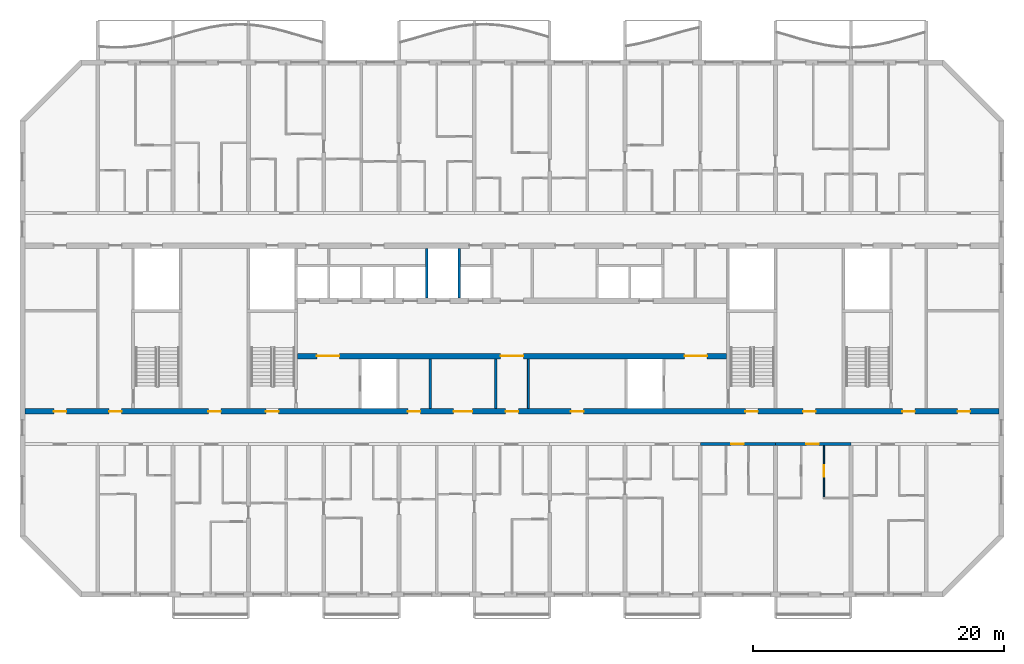
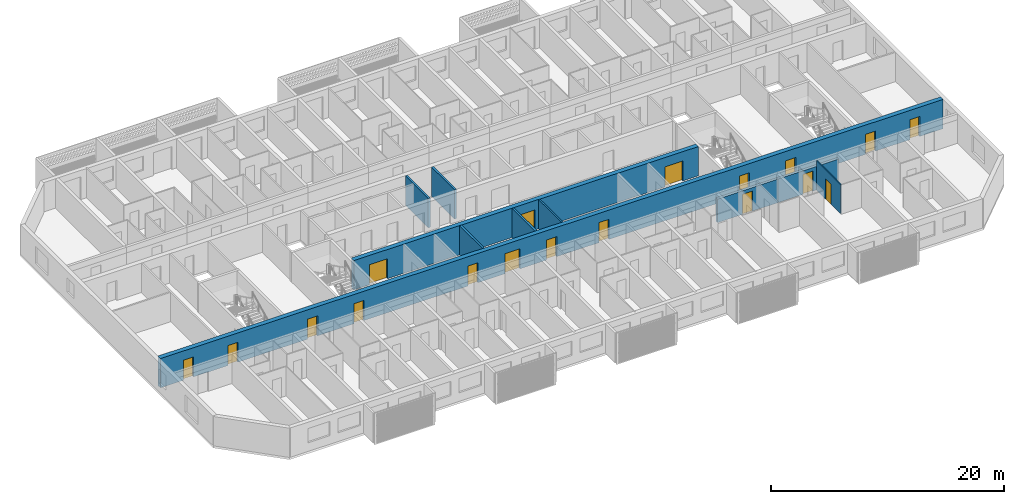
# One storey, part 6 of 32: 18 doors, 10 walls, 18 openings.
"""IFC4 building model written with IfcOpenShell, lengths in metres."""

from ifc_helpers import new_model, si_unit, direction, frame, frame_2d, origin, place, context, subcontext, project, spatial, rectangle, extrude, material, layer, layer_set, type_object, element, fill, save


model = new_model("IFC4")

# Units and contexts
model_context = context("Model", 3, precision=1e-05, world=origin(), true_north=direction((0.0, 1.0)))
body_context = subcontext(model_context, "Body", "Model", "MODEL_VIEW")
ifc_project = project(units=[si_unit("LENGTHUNIT", "METRE"), si_unit("AREAUNIT", "SQUARE_METRE"), si_unit("VOLUMEUNIT", "CUBIC_METRE"), si_unit("PLANEANGLEUNIT", "RADIAN"), si_unit("MASSUNIT", "GRAM", prefix="KILO")], contexts=[model_context])

# Site, building, storey
site_placement = place(None, origin())
site = spatial("IfcSite", under=ifc_project, at=site_placement, CompositionType="ELEMENT")
building_placement = place(site_placement, origin())
building = spatial("IfcBuilding", under=site, at=building_placement, Name="Poui Terraces", CompositionType="ELEMENT")
storey_placement = place(building_placement, frame((0.0, 0.0, 152.10009765625)))
storey = spatial("IfcBuildingStorey", under=building, at=storey_placement, Name="L42", CompositionType="ELEMENT", Elevation=152.10009765625)

# Wall, openings, doors
ifc_material_1 = material(Name="Concrete 65 MPa", Category="concrete")
ifc_layer_1 = layer(ifc_material_1, 0.449951171875)
ifc_layer_set_1 = layer_set([ifc_layer_1], Name="Concrete 65 MPa")
wall_type_1 = type_object("IfcWallType", Name="CORE WALL 450 65 MPA", PredefinedType="SOLIDWALL", material=ifc_layer_set_1)
wall_1_placement = place(storey_placement, frame((33.925048828125, 19.0, 0.0), z_axis=(0.0, 0.0, 1.0), x_axis=(1.0, 0.0, 0.0)))
wall_1 = element("IfcWall", 1, at=wall_1_placement, inside=storey, type_object=wall_type_1, Name="CORE WALL", PredefinedType="SOLIDWALL", context=body_context, shape_type="SweptSolid", body=[
    extrude(rectangle(XDim=34.14990234375, YDim=0.449951171875, at=frame_2d((17.074951171875, 0.0))), origin(), (0.0, 0.0, 1.0), 3.06982421875),
])
opening_1_placement = place(wall_1_placement, frame((16.175048828125, 0.0, 0.0)))
opening_1 = element("IfcOpeningElement", 2, at=opening_1_placement, cuts=wall_1, Name="Opening FDD60", PredefinedType="OPENING", context=body_context, shape_type="SweptSolid", body=[
    extrude(rectangle(XDim=1.800048828125, YDim=2.10009765625, at=frame_2d((0.89990234375, 1.050048828125))), frame((0.0, 0.23486328125, 0.0), z_axis=(0.0, -1.0, 0.0), x_axis=(1.0, 0.0, 0.0)), (0.0, 0.0, 1.0), 0.469970703125),
])
opening_2_placement = place(wall_1_placement, frame((1.52490234375, 0.0, 0.0)))
opening_2 = element("IfcOpeningElement", 3, at=opening_2_placement, cuts=wall_1, Name="Opening FDD60", PredefinedType="OPENING", context=body_context, shape_type="SweptSolid", body=[
    extrude(rectangle(XDim=1.800048828125, YDim=2.10009765625, at=frame_2d((0.89990234375, 1.050048828125))), frame((0.0, 0.23486328125, 0.0), z_axis=(0.0, -1.0, 0.0), x_axis=(1.0, 0.0, 0.0)), (0.0, 0.0, 1.0), 0.469970703125),
])
opening_3_placement = place(wall_1_placement, frame((30.824951171875, 0.0, 0.0)))
opening_3 = element("IfcOpeningElement", 4, at=opening_3_placement, cuts=wall_1, Name="Opening FDD60", PredefinedType="OPENING", context=body_context, shape_type="SweptSolid", body=[
    extrude(rectangle(XDim=1.800048828125, YDim=2.10009765625, at=frame_2d((0.89990234375, 1.050048828125))), frame((0.0, 0.23486328125, 0.0), z_axis=(0.0, -1.0, 0.0), x_axis=(1.0, 0.0, 0.0)), (0.0, 0.0, 1.0), 0.469970703125),
])
ifc_material_2 = material(Name="Steel fire door", Category="steel")
door_type_1 = type_object("IfcDoorType", Name="DOUBLE LOBBY FIRE DOOR 1800 X 2100", OperationType="DOUBLE_DOOR_SINGLE_SWING", PredefinedType="DOOR", material=ifc_material_2)
door_1_placement = place(opening_1_placement, frame((1.800048828125, 0.0, 0.0), z_axis=(0.0, 0.0, 1.0), x_axis=(-1.0, 0.0, 0.0)))
door_1 = element("IfcDoor", 5, at=door_1_placement, inside=storey, type_object=door_type_1, Name="DOUBLE LOBBY FIRE DOOR 124", OperationType="DOUBLE_DOOR_SINGLE_SWING", OverallHeight=2.10009765625, OverallWidth=1.800048828125, PredefinedType="DOOR", context=body_context, shape_type="SweptSolid", body=[
    extrude(rectangle(XDim=1.800048828125, YDim=2.10009765625, at=frame_2d((0.89990234375, 1.050048828125))), frame((0.0, 0.02490234375, 0.0), z_axis=(0.0, -1.0, 0.0), x_axis=(1.0, 0.0, 0.0)), (0.0, 0.0, 1.0), 0.050048828125),
])
fill(opening_1, door_1)
door_2_placement = place(opening_2_placement, origin())
door_2 = element("IfcDoor", 6, at=door_2_placement, inside=storey, type_object=door_type_1, Name="DOUBLE LOBBY FIRE DOOR 126", OperationType="DOUBLE_DOOR_SINGLE_SWING", OverallHeight=2.10009765625, OverallWidth=1.800048828125, PredefinedType="DOOR", context=body_context, shape_type="SweptSolid", body=[
    extrude(rectangle(XDim=1.800048828125, YDim=2.10009765625, at=frame_2d((0.89990234375, 1.050048828125))), frame((0.0, 0.02490234375, 0.0), z_axis=(0.0, -1.0, 0.0), x_axis=(1.0, 0.0, 0.0)), (0.0, 0.0, 1.0), 0.050048828125),
])
fill(opening_2, door_2)
door_3_placement = place(opening_3_placement, origin())
door_3 = element("IfcDoor", 7, at=door_3_placement, inside=storey, type_object=door_type_1, Name="DOUBLE LOBBY FIRE DOOR 133", OperationType="DOUBLE_DOOR_SINGLE_SWING", OverallHeight=2.10009765625, OverallWidth=1.800048828125, PredefinedType="DOOR", context=body_context, shape_type="SweptSolid", body=[
    extrude(rectangle(XDim=1.800048828125, YDim=2.10009765625, at=frame_2d((0.89990234375, 1.050048828125))), frame((0.0, 0.02490234375, 0.0), z_axis=(0.0, -1.0, 0.0), x_axis=(1.0, 0.0, 0.0)), (0.0, 0.0, 1.0), 0.050048828125),
])
fill(opening_3, door_3)

# Wall
ifc_material_3 = material(Name="Fire-rated plasterboard wall")
ifc_layer_2 = layer(ifc_material_3, 0.14990234375)
ifc_layer_set_2 = layer_set([ifc_layer_2], Name="Fire-rated plasterboard wall")
wall_type_2 = type_object("IfcWallType", Name="CORRIDOR WALL 150", PredefinedType="PARTITIONING", material=ifc_layer_set_2)
wall_2_placement = place(storey_placement, frame((52.300048828125, 14.8349609375, 0.0), z_axis=(0.0, 0.0, 1.0), x_axis=(0.0, 1.0, 0.0)))
element("IfcWall", 8, at=wall_2_placement, inside=storey, type_object=wall_type_2, Name="CORRIDOR WALL 150", PredefinedType="PARTITIONING", context=body_context, shape_type="SweptSolid", body=[
    extrude(rectangle(XDim=3.929931640625, YDim=0.14990234375, at=frame_2d((1.96484375, 0.0))), origin(), (0.0, 0.0, 1.0), 3.06982421875),
])

# Wall, opening, door
ifc_layer_3 = layer(ifc_material_1, 0.25)
ifc_layer_set_3 = layer_set([ifc_layer_3], Name="Concrete 65 MPa")
wall_type_3 = type_object("IfcWallType", Name="CORRIDOR WALL 250 65MPa", PredefinedType="SHEAR", material=ifc_layer_set_3)
wall_3_placement = place(storey_placement, frame((66.0, 12.0, 0.0), z_axis=(0.0, 0.0, 1.0), x_axis=(1.0, 0.0, 0.0)))
wall_3 = element("IfcWall", 9, at=wall_3_placement, inside=storey, type_object=wall_type_3, Name="CORRIDOR WALL LINE B BAY 10", PredefinedType="SHEAR", context=body_context, shape_type="SweptSolid", body=[
    extrude(rectangle(XDim=6.0, YDim=0.25, at=frame_2d((3.0, 0.0))), origin(), (0.0, 0.0, 1.0), 2.469970703125),
])
opening_4_placement = place(wall_3_placement, frame((2.449951171875, 0.0, 0.0)))
opening_4 = element("IfcOpeningElement", 10, at=opening_4_placement, cuts=wall_3, Name="Opening FD30S", PredefinedType="OPENING", context=body_context, shape_type="SweptSolid", body=[
    extrude(rectangle(XDim=1.0, YDim=2.10009765625, at=frame_2d((0.5, 1.050048828125))), frame((0.0, 0.135009765625, 0.0), z_axis=(0.0, -1.0, 0.0), x_axis=(1.0, 0.0, 0.0)), (0.0, 0.0, 1.0), 0.27001953125),
])
door_type_2 = type_object("IfcDoorType", Name="FLAT ENTRANCE DOOR 1000 X 2100", OperationType="NOTDEFINED", PredefinedType="DOOR", material=ifc_material_2)
door_4_placement = place(opening_4_placement, frame((1.0, 0.0, 0.0), z_axis=(0.0, 0.0, 1.0), x_axis=(-1.0, 0.0, 0.0)))
door_4 = element("IfcDoor", 11, at=door_4_placement, inside=storey, type_object=door_type_2, Name="FLAT ENTRANCE DOOR 109", OperationType="SINGLE_SWING_RIGHT", OverallHeight=2.10009765625, OverallWidth=1.0, PredefinedType="DOOR", context=body_context, shape_type="SweptSolid", body=[
    extrude(rectangle(XDim=1.0, YDim=2.10009765625, at=frame_2d((0.5, 1.050048828125))), frame((0.0, 0.02490234375, 0.0), z_axis=(0.0, -1.0, 0.0), x_axis=(1.0, 0.0, 0.0)), (0.0, 0.0, 1.0), 0.050048828125),
])
fill(opening_4, door_4)

wall_4_placement = place(storey_placement, frame((72.0, 12.0, 0.0), z_axis=(0.0, 0.0, 1.0), x_axis=(1.0, 0.0, 0.0)))
wall_4 = element("IfcWall", 12, at=wall_4_placement, inside=storey, type_object=wall_type_3, Name="CORRIDOR WALL LINE B BAY 11", PredefinedType="SHEAR", context=body_context, shape_type="SweptSolid", body=[
    extrude(rectangle(XDim=6.0, YDim=0.25, at=frame_2d((3.0, 0.0))), origin(), (0.0, 0.0, 1.0), 2.469970703125),
])
opening_5_placement = place(wall_4_placement, frame((2.449951171875, 0.0, 0.0)))
opening_5 = element("IfcOpeningElement", 13, at=opening_5_placement, cuts=wall_4, Name="Opening FD30S", PredefinedType="OPENING", context=body_context, shape_type="SweptSolid", body=[
    extrude(rectangle(XDim=1.0, YDim=2.10009765625, at=frame_2d((0.5, 1.050048828125))), frame((0.0, 0.135009765625, 0.0), z_axis=(0.0, -1.0, 0.0), x_axis=(1.0, 0.0, 0.0)), (0.0, 0.0, 1.0), 0.27001953125),
])
door_5_placement = place(opening_5_placement, frame((1.0, 0.0, 0.0), z_axis=(0.0, 0.0, 1.0), x_axis=(-1.0, 0.0, 0.0)))
door_5 = element("IfcDoor", 14, at=door_5_placement, inside=storey, type_object=door_type_2, Name="FLAT ENTRANCE DOOR 112", OperationType="SINGLE_SWING_RIGHT", OverallHeight=2.10009765625, OverallWidth=1.0, PredefinedType="DOOR", context=body_context, shape_type="SweptSolid", body=[
    extrude(rectangle(XDim=1.0, YDim=2.10009765625, at=frame_2d((0.5, 1.050048828125))), frame((0.0, 0.02490234375, 0.0), z_axis=(0.0, -1.0, 0.0), x_axis=(1.0, 0.0, 0.0)), (0.0, 0.0, 1.0), 0.050048828125),
])
fill(opening_5, door_5)

ifc_material_4 = material(Name="Plasterboard partition")
ifc_layer_4 = layer(ifc_material_4, 0.10009765625)
ifc_layer_set_4 = layer_set([ifc_layer_4], Name="Plasterboard partition")
wall_type_4 = type_object("IfcWallType", Name="FLAT PARTITION 100", PredefinedType="PARTITIONING", material=ifc_layer_set_4)
wall_5_placement = place(storey_placement, frame((75.85009765625, 7.75, 0.0), z_axis=(0.0, 0.0, 1.0), x_axis=(0.0, 1.0, 0.0)))
wall_5 = element("IfcWall", 15, at=wall_5_placement, inside=storey, type_object=wall_type_4, Name="FLAT PARTITION 100", PredefinedType="PARTITIONING", context=body_context, shape_type="SweptSolid", body=[
    extrude(rectangle(XDim=4.114990234375, YDim=0.10009765625, at=frame_2d((2.0576171875, 0.0))), origin(), (0.0, 0.0, 1.0), 3.06982421875),
])
opening_6_placement = place(wall_5_placement, frame((1.64990234375, 0.0, 0.0)))
opening_6 = element("IfcOpeningElement", 16, at=opening_6_placement, cuts=wall_5, Name="Opening D90", PredefinedType="OPENING", context=body_context, shape_type="SweptSolid", body=[
    extrude(rectangle(XDim=0.89990234375, YDim=2.10009765625, at=frame_2d((0.449951171875, 1.050048828125))), frame((0.0, 0.06005859375, 0.0), z_axis=(0.0, -1.0, 0.0), x_axis=(1.0, 0.0, 0.0)), (0.0, 0.0, 1.0), 0.1201171875),
])
ifc_material_5 = material(Name="Solid core timber door", Category="wood")
door_type_3 = type_object("IfcDoorType", Name="INTERNAL DOOR 900 X 2100", OperationType="NOTDEFINED", PredefinedType="DOOR", material=ifc_material_5)
door_6_placement = place(opening_6_placement, frame((0.89990234375, 0.0, 0.0), z_axis=(0.0, 0.0, 1.0), x_axis=(-1.0, 0.0, 0.0)))
door_6 = element("IfcDoor", 17, at=door_6_placement, inside=storey, type_object=door_type_3, Name="INTERNAL DOOR 113", OperationType="SINGLE_SWING_LEFT", OverallHeight=2.10009765625, OverallWidth=0.89990234375, PredefinedType="DOOR", context=body_context, shape_type="SweptSolid", body=[
    extrude(rectangle(XDim=0.89990234375, YDim=2.10009765625, at=frame_2d((0.449951171875, 1.050048828125))), frame((0.0, 0.02490234375, 0.0), z_axis=(0.0, -1.0, 0.0), x_axis=(1.0, 0.0, 0.0)), (0.0, 0.0, 1.0), 0.050048828125),
])
fill(opening_6, door_6)

# Walls
ifc_material_6 = material(Name="Fire-rated masonry wall", Category="masonry")
ifc_layer_5 = layer(ifc_material_6, 0.199951171875)
ifc_layer_set_5 = layer_set([ifc_layer_5], Name="Fire-rated masonry wall")
wall_type_5 = type_object("IfcWallType", Name="PLANT ROOM WALL 200", PredefinedType="PARTITIONING", material=ifc_layer_set_5)
for number, where, z_axis, x_axis, name in (
    (18, (44.5, 14.8349609375, 0.0), (0.0, 0.0, 1.0), (0.0, 1.0, 0.0), "PLANT ROOM WALL 200"),
    (19, (49.699951171875, 14.8349609375, 0.0), (0.0, 0.0, 1.0), (0.0, 1.0, 0.0), "PLANT ROOM WALL 200"),
):
    element("IfcWall", number, at=place(storey_placement, frame(where, z_axis=z_axis, x_axis=x_axis)), inside=storey, type_object=wall_type_5, Name=name, PredefinedType="PARTITIONING", context=body_context, shape_type="SweptSolid", body=[
        extrude(rectangle(XDim=3.929931640625, YDim=0.199951171875, at=frame_2d((1.96484375, 0.0))), origin(), (0.0, 0.0, 1.0), 3.06982421875),
    ])
ifc_material_7 = material(Name="Fire-rated masonry shaft wall", Category="masonry")
ifc_layer_6 = layer(ifc_material_7, 0.199951171875)
ifc_layer_set_6 = layer_set([ifc_layer_6], Name="Fire-rated masonry shaft wall")
wall_type_6 = type_object("IfcWallType", Name="SHAFT WALL 200", PredefinedType="PARTITIONING", material=ifc_layer_set_6)
for number, where, z_axis, x_axis, name in (
    (20, (44.199951171875, 23.635009765625, 0.0), (0.0, 0.0, 1.0), (0.0, 1.0, 0.0), "SHAFT WALL 200"),
    (21, (46.800048828125, 23.635009765625, 0.0), (0.0, 0.0, 1.0), (0.0, 1.0, 0.0), "SHAFT WALL 200"),
):
    element("IfcWall", number, at=place(storey_placement, frame(where, z_axis=z_axis, x_axis=x_axis)), inside=storey, type_object=wall_type_6, Name=name, PredefinedType="PARTITIONING", context=body_context, shape_type="SweptSolid", body=[
        extrude(rectangle(XDim=3.929931640625, YDim=0.199951171875, at=frame_2d((1.96484375, 0.0))), origin(), (0.0, 0.0, 1.0), 3.06982421875),
    ])

# Wall, openings, doors
ifc_layer_7 = layer(ifc_material_1, 0.449951171875)
ifc_layer_set_7 = layer_set([ifc_layer_7], Name="Concrete 65 MPa")
wall_type_7 = type_object("IfcWallType", Name="SPINE WALL 450 65 MPA", PredefinedType="SOLIDWALL", material=ifc_layer_set_7)
wall_6_placement = place(storey_placement, frame((12.199951171875, 14.60009765625, 0.0), z_axis=(0.0, 0.0, 1.0), x_axis=(1.0, 0.0, 0.0)))
wall_6 = element("IfcWall", 22, at=wall_6_placement, inside=storey, type_object=wall_type_7, Name="SPINE WALL", PredefinedType="SOLIDWALL", context=body_context, shape_type="SweptSolid", body=[
    extrude(rectangle(XDim=77.60009765625, YDim=0.449951171875, at=frame_2d((38.800048828125, 0.0))), origin(), (0.0, 0.0, 1.0), 3.06982421875),
])
opening_7_placement = place(wall_6_placement, frame((2.300048828125, 0.0, 0.0)))
opening_7 = element("IfcOpeningElement", 23, at=opening_7_placement, cuts=wall_6, Name="Opening FD60", PredefinedType="OPENING", context=body_context, shape_type="SweptSolid", body=[
    extrude(rectangle(XDim=1.0, YDim=2.10009765625, at=frame_2d((0.5, 1.050048828125))), frame((0.0, 0.23486328125, 0.0), z_axis=(0.0, -1.0, 0.0), x_axis=(1.0, 0.0, 0.0)), (0.0, 0.0, 1.0), 0.469970703125),
])
opening_8_placement = place(wall_6_placement, frame((6.699951171875, 0.0, 0.0)))
opening_8 = element("IfcOpeningElement", 24, at=opening_8_placement, cuts=wall_6, Name="Opening FDL", PredefinedType="OPENING", context=body_context, shape_type="SweptSolid", body=[
    extrude(rectangle(XDim=1.0, YDim=2.10009765625, at=frame_2d((0.5, 1.050048828125))), frame((0.0, 0.23486328125, 0.0), z_axis=(0.0, -1.0, 0.0), x_axis=(1.0, 0.0, 0.0)), (0.0, 0.0, 1.0), 0.469970703125),
])
opening_9_placement = place(wall_6_placement, frame((14.60009765625, 0.0, 0.0)))
opening_9 = element("IfcOpeningElement", 25, at=opening_9_placement, cuts=wall_6, Name="Opening D100", PredefinedType="OPENING", context=body_context, shape_type="SweptSolid", body=[
    extrude(rectangle(XDim=1.0, YDim=2.10009765625, at=frame_2d((0.5, 1.050048828125))), frame((0.0, 0.23486328125, 0.0), z_axis=(0.0, -1.0, 0.0), x_axis=(1.0, 0.0, 0.0)), (0.0, 0.0, 1.0), 0.469970703125),
])
opening_10_placement = place(wall_6_placement, frame((19.199951171875, 0.0, 0.0)))
opening_10 = element("IfcOpeningElement", 26, at=opening_10_placement, cuts=wall_6, Name="Opening FD60S", PredefinedType="OPENING", context=body_context, shape_type="SweptSolid", body=[
    extrude(rectangle(XDim=1.0, YDim=2.10009765625, at=frame_2d((0.5, 1.050048828125))), frame((0.0, 0.23486328125, 0.0), z_axis=(0.0, -1.0, 0.0), x_axis=(1.0, 0.0, 0.0)), (0.0, 0.0, 1.0), 0.469970703125),
])
opening_11_placement = place(wall_6_placement, frame((30.5, 0.0, 0.0)))
opening_11 = element("IfcOpeningElement", 27, at=opening_11_placement, cuts=wall_6, Name="Opening FD60", PredefinedType="OPENING", context=body_context, shape_type="SweptSolid", body=[
    extrude(rectangle(XDim=1.0, YDim=2.10009765625, at=frame_2d((0.5, 1.050048828125))), frame((0.0, 0.23486328125, 0.0), z_axis=(0.0, -1.0, 0.0), x_axis=(1.0, 0.0, 0.0)), (0.0, 0.0, 1.0), 0.469970703125),
])
opening_12_placement = place(wall_6_placement, frame((34.14990234375, 0.0, 0.0)))
opening_12 = element("IfcOpeningElement", 28, at=opening_12_placement, cuts=wall_6, Name="Opening FDP", PredefinedType="OPENING", context=body_context, shape_type="SweptSolid", body=[
    extrude(rectangle(XDim=1.5, YDim=2.10009765625, at=frame_2d((0.75, 1.050048828125))), frame((0.0, 0.23486328125, 0.0), z_axis=(0.0, -1.0, 0.0), x_axis=(1.0, 0.0, 0.0)), (0.0, 0.0, 1.0), 0.469970703125),
])
opening_13_placement = place(wall_6_placement, frame((38.300048828125, 0.0, 0.0)))
opening_13 = element("IfcOpeningElement", 29, at=opening_13_placement, cuts=wall_6, Name="Opening FDL", PredefinedType="OPENING", context=body_context, shape_type="SweptSolid", body=[
    extrude(rectangle(XDim=1.0, YDim=2.10009765625, at=frame_2d((0.5, 1.050048828125))), frame((0.0, 0.23486328125, 0.0), z_axis=(0.0, -1.0, 0.0), x_axis=(1.0, 0.0, 0.0)), (0.0, 0.0, 1.0), 0.469970703125),
])
opening_14_placement = place(wall_6_placement, frame((43.5, 0.0, 0.0)))
opening_14 = element("IfcOpeningElement", 30, at=opening_14_placement, cuts=wall_6, Name="Opening FD60", PredefinedType="OPENING", context=body_context, shape_type="SweptSolid", body=[
    extrude(rectangle(XDim=1.0, YDim=2.10009765625, at=frame_2d((0.5, 1.050048828125))), frame((0.0, 0.23486328125, 0.0), z_axis=(0.0, -1.0, 0.0), x_axis=(1.0, 0.0, 0.0)), (0.0, 0.0, 1.0), 0.469970703125),
])
opening_15_placement = place(wall_6_placement, frame((57.39990234375, 0.0, 0.0)))
opening_15 = element("IfcOpeningElement", 31, at=opening_15_placement, cuts=wall_6, Name="Opening FD60S", PredefinedType="OPENING", context=body_context, shape_type="SweptSolid", body=[
    extrude(rectangle(XDim=1.0, YDim=2.10009765625, at=frame_2d((0.5, 1.050048828125))), frame((0.0, 0.23486328125, 0.0), z_axis=(0.0, -1.0, 0.0), x_axis=(1.0, 0.0, 0.0)), (0.0, 0.0, 1.0), 0.469970703125),
])
opening_16_placement = place(wall_6_placement, frame((62.0, 0.0, 0.0)))
opening_16 = element("IfcOpeningElement", 32, at=opening_16_placement, cuts=wall_6, Name="Opening D100", PredefinedType="OPENING", context=body_context, shape_type="SweptSolid", body=[
    extrude(rectangle(XDim=1.0, YDim=2.10009765625, at=frame_2d((0.5, 1.050048828125))), frame((0.0, 0.23486328125, 0.0), z_axis=(0.0, -1.0, 0.0), x_axis=(1.0, 0.0, 0.0)), (0.0, 0.0, 1.0), 0.469970703125),
])
opening_17_placement = place(wall_6_placement, frame((69.89990234375, 0.0, 0.0)))
opening_17 = element("IfcOpeningElement", 33, at=opening_17_placement, cuts=wall_6, Name="Opening FDL", PredefinedType="OPENING", context=body_context, shape_type="SweptSolid", body=[
    extrude(rectangle(XDim=1.0, YDim=2.10009765625, at=frame_2d((0.5, 1.050048828125))), frame((0.0, 0.23486328125, 0.0), z_axis=(0.0, -1.0, 0.0), x_axis=(1.0, 0.0, 0.0)), (0.0, 0.0, 1.0), 0.469970703125),
])
opening_18_placement = place(wall_6_placement, frame((74.300048828125, 0.0, 0.0)))
opening_18 = element("IfcOpeningElement", 34, at=opening_18_placement, cuts=wall_6, Name="Opening FD60", PredefinedType="OPENING", context=body_context, shape_type="SweptSolid", body=[
    extrude(rectangle(XDim=1.0, YDim=2.10009765625, at=frame_2d((0.5, 1.050048828125))), frame((0.0, 0.23486328125, 0.0), z_axis=(0.0, -1.0, 0.0), x_axis=(1.0, 0.0, 0.0)), (0.0, 0.0, 1.0), 0.469970703125),
])
door_type_4 = type_object("IfcDoorType", Name="ACCESSIBLE INTERNAL DOOR 1000 X 2100", OperationType="NOTDEFINED", PredefinedType="DOOR", material=ifc_material_5)
door_7_placement = place(opening_9_placement, frame((1.0, 0.0, 0.0), z_axis=(0.0, 0.0, 1.0), x_axis=(-1.0, 0.0, 0.0)))
door_7 = element("IfcDoor", 35, at=door_7_placement, inside=storey, type_object=door_type_4, Name="ACCESSIBLE INTERNAL DOOR 019", OperationType="SINGLE_SWING_LEFT", OverallHeight=2.10009765625, OverallWidth=1.0, PredefinedType="DOOR", context=body_context, shape_type="SweptSolid", body=[
    extrude(rectangle(XDim=1.0, YDim=2.10009765625, at=frame_2d((0.5, 1.050048828125))), frame((0.0, 0.02490234375, 0.0), z_axis=(0.0, -1.0, 0.0), x_axis=(1.0, 0.0, 0.0)), (0.0, 0.0, 1.0), 0.050048828125),
])
fill(opening_9, door_7)
door_8_placement = place(opening_16_placement, frame((1.0, 0.0, 0.0), z_axis=(0.0, 0.0, 1.0), x_axis=(-1.0, 0.0, 0.0)))
door_8 = element("IfcDoor", 36, at=door_8_placement, inside=storey, type_object=door_type_4, Name="ACCESSIBLE INTERNAL DOOR 026", OperationType="SINGLE_SWING_RIGHT", OverallHeight=2.10009765625, OverallWidth=1.0, PredefinedType="DOOR", context=body_context, shape_type="SweptSolid", body=[
    extrude(rectangle(XDim=1.0, YDim=2.10009765625, at=frame_2d((0.5, 1.050048828125))), frame((0.0, 0.02490234375, 0.0), z_axis=(0.0, -1.0, 0.0), x_axis=(1.0, 0.0, 0.0)), (0.0, 0.0, 1.0), 0.050048828125),
])
fill(opening_16, door_8)
door_type_5 = type_object("IfcDoorType", Name="LOBBY FIRE DOOR 1000 X 2100", OperationType="NOTDEFINED", PredefinedType="DOOR", material=ifc_material_2)
door_9_placement = place(opening_8_placement, frame((1.0, 0.0, 0.0), z_axis=(0.0, 0.0, 1.0), x_axis=(-1.0, 0.0, 0.0)))
door_9 = element("IfcDoor", 37, at=door_9_placement, inside=storey, type_object=door_type_5, Name="LOBBY FIRE DOOR 018", OperationType="SINGLE_SWING_RIGHT", OverallHeight=2.10009765625, OverallWidth=1.0, PredefinedType="DOOR", context=body_context, shape_type="SweptSolid", body=[
    extrude(rectangle(XDim=1.0, YDim=2.10009765625, at=frame_2d((0.5, 1.050048828125))), frame((0.0, 0.02490234375, 0.0), z_axis=(0.0, -1.0, 0.0), x_axis=(1.0, 0.0, 0.0)), (0.0, 0.0, 1.0), 0.050048828125),
])
fill(opening_8, door_9)
door_10_placement = place(opening_13_placement, frame((1.0, 0.0, 0.0), z_axis=(0.0, 0.0, 1.0), x_axis=(-1.0, 0.0, 0.0)))
door_10 = element("IfcDoor", 38, at=door_10_placement, inside=storey, type_object=door_type_5, Name="LOBBY FIRE DOOR 023", OperationType="SINGLE_SWING_LEFT", OverallHeight=2.10009765625, OverallWidth=1.0, PredefinedType="DOOR", context=body_context, shape_type="SweptSolid", body=[
    extrude(rectangle(XDim=1.0, YDim=2.10009765625, at=frame_2d((0.5, 1.050048828125))), frame((0.0, 0.02490234375, 0.0), z_axis=(0.0, -1.0, 0.0), x_axis=(1.0, 0.0, 0.0)), (0.0, 0.0, 1.0), 0.050048828125),
])
fill(opening_13, door_10)
door_11_placement = place(opening_17_placement, frame((1.0, 0.0, 0.0), z_axis=(0.0, 0.0, 1.0), x_axis=(-1.0, 0.0, 0.0)))
door_11 = element("IfcDoor", 39, at=door_11_placement, inside=storey, type_object=door_type_5, Name="LOBBY FIRE DOOR 027", OperationType="SINGLE_SWING_LEFT", OverallHeight=2.10009765625, OverallWidth=1.0, PredefinedType="DOOR", context=body_context, shape_type="SweptSolid", body=[
    extrude(rectangle(XDim=1.0, YDim=2.10009765625, at=frame_2d((0.5, 1.050048828125))), frame((0.0, 0.02490234375, 0.0), z_axis=(0.0, -1.0, 0.0), x_axis=(1.0, 0.0, 0.0)), (0.0, 0.0, 1.0), 0.050048828125),
])
fill(opening_17, door_11)
door_type_6 = type_object("IfcDoorType", Name="PLANT ROOM DOOR PAIR 1500 X 2100", OperationType="DOUBLE_DOOR_SINGLE_SWING", PredefinedType="DOOR", material=ifc_material_2)
door_12_placement = place(opening_12_placement, frame((1.5, 0.0, 0.0), z_axis=(0.0, 0.0, 1.0), x_axis=(-1.0, 0.0, 0.0)))
door_12 = element("IfcDoor", 40, at=door_12_placement, inside=storey, type_object=door_type_6, Name="PLANT ROOM DOOR PAIR 022", OperationType="DOUBLE_DOOR_SINGLE_SWING", OverallHeight=2.10009765625, OverallWidth=1.5, PredefinedType="DOOR", context=body_context, shape_type="SweptSolid", body=[
    extrude(rectangle(XDim=1.5, YDim=2.10009765625, at=frame_2d((0.75, 1.050048828125))), frame((0.0, 0.02490234375, 0.0), z_axis=(0.0, -1.0, 0.0), x_axis=(1.0, 0.0, 0.0)), (0.0, 0.0, 1.0), 0.050048828125),
])
fill(opening_12, door_12)
door_type_7 = type_object("IfcDoorType", Name="SERVICE ROOM FIRE DOOR 1000 X 2100", OperationType="NOTDEFINED", PredefinedType="DOOR", material=ifc_material_2)
door_13_placement = place(opening_7_placement, frame((1.0, 0.0, 0.0), z_axis=(0.0, 0.0, 1.0), x_axis=(-1.0, 0.0, 0.0)))
door_13 = element("IfcDoor", 41, at=door_13_placement, inside=storey, type_object=door_type_7, Name="SERVICE ROOM FIRE DOOR 017", OperationType="SINGLE_SWING_LEFT", OverallHeight=2.10009765625, OverallWidth=1.0, PredefinedType="DOOR", context=body_context, shape_type="SweptSolid", body=[
    extrude(rectangle(XDim=1.0, YDim=2.10009765625, at=frame_2d((0.5, 1.050048828125))), frame((0.0, 0.02490234375, 0.0), z_axis=(0.0, -1.0, 0.0), x_axis=(1.0, 0.0, 0.0)), (0.0, 0.0, 1.0), 0.050048828125),
])
fill(opening_7, door_13)
door_14_placement = place(opening_11_placement, frame((1.0, 0.0, 0.0), z_axis=(0.0, 0.0, 1.0), x_axis=(-1.0, 0.0, 0.0)))
door_14 = element("IfcDoor", 42, at=door_14_placement, inside=storey, type_object=door_type_7, Name="SERVICE ROOM FIRE DOOR 021", OperationType="SINGLE_SWING_LEFT", OverallHeight=2.10009765625, OverallWidth=1.0, PredefinedType="DOOR", context=body_context, shape_type="SweptSolid", body=[
    extrude(rectangle(XDim=1.0, YDim=2.10009765625, at=frame_2d((0.5, 1.050048828125))), frame((0.0, 0.02490234375, 0.0), z_axis=(0.0, -1.0, 0.0), x_axis=(1.0, 0.0, 0.0)), (0.0, 0.0, 1.0), 0.050048828125),
])
fill(opening_11, door_14)
door_15_placement = place(opening_14_placement, frame((1.0, 0.0, 0.0), z_axis=(0.0, 0.0, 1.0), x_axis=(-1.0, 0.0, 0.0)))
door_15 = element("IfcDoor", 43, at=door_15_placement, inside=storey, type_object=door_type_7, Name="SERVICE ROOM FIRE DOOR 024", OperationType="SINGLE_SWING_LEFT", OverallHeight=2.10009765625, OverallWidth=1.0, PredefinedType="DOOR", context=body_context, shape_type="SweptSolid", body=[
    extrude(rectangle(XDim=1.0, YDim=2.10009765625, at=frame_2d((0.5, 1.050048828125))), frame((0.0, 0.02490234375, 0.0), z_axis=(0.0, -1.0, 0.0), x_axis=(1.0, 0.0, 0.0)), (0.0, 0.0, 1.0), 0.050048828125),
])
fill(opening_14, door_15)
door_16_placement = place(opening_18_placement, frame((1.0, 0.0, 0.0), z_axis=(0.0, 0.0, 1.0), x_axis=(-1.0, 0.0, 0.0)))
door_16 = element("IfcDoor", 44, at=door_16_placement, inside=storey, type_object=door_type_7, Name="SERVICE ROOM FIRE DOOR 028", OperationType="SINGLE_SWING_LEFT", OverallHeight=2.10009765625, OverallWidth=1.0, PredefinedType="DOOR", context=body_context, shape_type="SweptSolid", body=[
    extrude(rectangle(XDim=1.0, YDim=2.10009765625, at=frame_2d((0.5, 1.050048828125))), frame((0.0, 0.02490234375, 0.0), z_axis=(0.0, -1.0, 0.0), x_axis=(1.0, 0.0, 0.0)), (0.0, 0.0, 1.0), 0.050048828125),
])
fill(opening_18, door_16)
door_type_8 = type_object("IfcDoorType", Name="STAIR DOOR 1000 X 2100", OperationType="NOTDEFINED", PredefinedType="DOOR", material=ifc_material_2)
door_17_placement = place(opening_10_placement, origin())
door_17 = element("IfcDoor", 45, at=door_17_placement, inside=storey, type_object=door_type_8, Name="STAIR DOOR 020", OperationType="SINGLE_SWING_RIGHT", OverallHeight=2.10009765625, OverallWidth=1.0, PredefinedType="DOOR", context=body_context, shape_type="SweptSolid", body=[
    extrude(rectangle(XDim=1.0, YDim=2.10009765625, at=frame_2d((0.5, 1.050048828125))), frame((0.0, 0.02490234375, 0.0), z_axis=(0.0, -1.0, 0.0), x_axis=(1.0, 0.0, 0.0)), (0.0, 0.0, 1.0), 0.050048828125),
])
fill(opening_10, door_17)
door_18_placement = place(opening_15_placement, origin())
door_18 = element("IfcDoor", 46, at=door_18_placement, inside=storey, type_object=door_type_8, Name="STAIR DOOR 025", OperationType="SINGLE_SWING_RIGHT", OverallHeight=2.10009765625, OverallWidth=1.0, PredefinedType="DOOR", context=body_context, shape_type="SweptSolid", body=[
    extrude(rectangle(XDim=1.0, YDim=2.10009765625, at=frame_2d((0.5, 1.050048828125))), frame((0.0, 0.02490234375, 0.0), z_axis=(0.0, -1.0, 0.0), x_axis=(1.0, 0.0, 0.0)), (0.0, 0.0, 1.0), 0.050048828125),
])
fill(opening_15, door_18)

save(model, "model.ifc")
